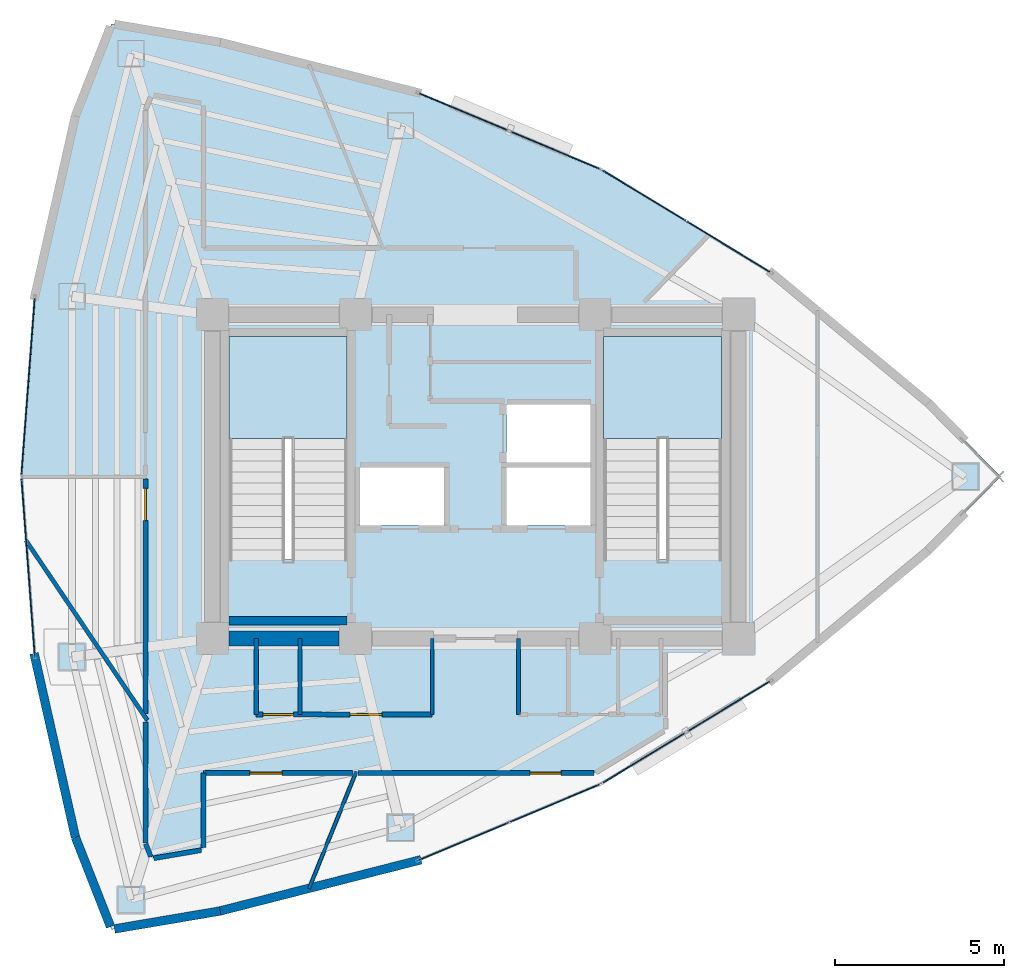
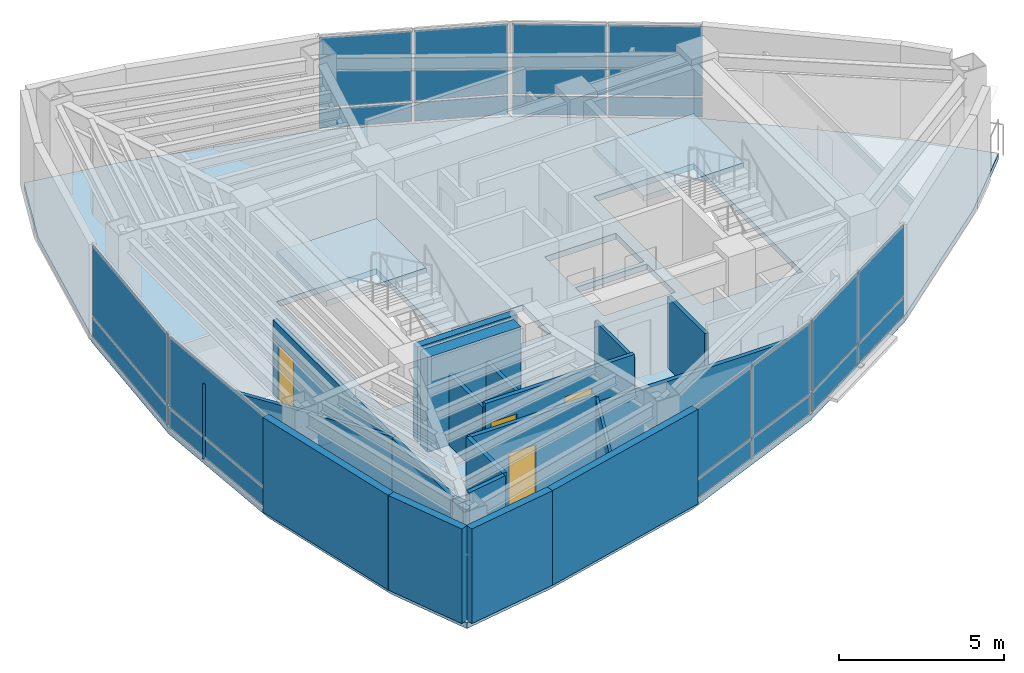
# One storey, part 11 of 15: 20 plates, 20 walls, 5 doors, 3 slabs, 5 openings, 8 elements without a shape of their own.
"""IFC4 building model written with IfcOpenShell, lengths in metres."""

from ifc_helpers import new_model, si_unit, direction, frame, frame_2d, origin, origin_2d, place, context, subcontext, project, spatial, polyline, rectangle, outline, extrude, material, layer, layer_set, type_object, element, fill, aggregate, save


model = new_model("IFC4")

# Units and contexts
model_context = context("Model", 3, precision=1e-05, world=origin(), true_north=direction((0.0, 1.0)))
body_context = subcontext(model_context, "Body", "Model", "MODEL_VIEW")
ifc_project = project(units=[si_unit("LENGTHUNIT", "METRE"), si_unit("AREAUNIT", "SQUARE_METRE"), si_unit("VOLUMEUNIT", "CUBIC_METRE"), si_unit("PLANEANGLEUNIT", "RADIAN"), si_unit("MASSUNIT", "GRAM", prefix="KILO")], contexts=[model_context])

# Site, building, storey
site_placement = place(None, origin())
site = spatial("IfcSite", under=ifc_project, at=site_placement, CompositionType="ELEMENT")
building_placement = place(site_placement, origin())
building = spatial("IfcBuilding", under=site, at=building_placement, Name="Menara Vayukalpa", CompositionType="ELEMENT")
storey_placement = place(building_placement, frame((0.0, 0.0, 265.739990234375)))
storey = spatial("IfcBuildingStorey", under=building, at=storey_placement, Name="L67", CompositionType="ELEMENT", Elevation=265.739990234375)

# Curtain wall, plates
ifc_material_1 = material(Name="Anodised Terracotta Aluminium Alloy 6063-T6", Category="masonry")
ifc_layer_1 = layer(ifc_material_1, 0.1650390625)
ifc_layer_set_1 = layer_set([ifc_layer_1], Name="Anodised Terracotta Aluminium Alloy 6063-T6")
curtain_wall_type = type_object("IfcCurtainWallType", Name="CW-CW6", PredefinedType="USERDEFINED", material=ifc_layer_set_1)
curtain_wall_1_placement = place(storey_placement, origin())
curtain_wall_1 = element("IfcCurtainWall", 1, at=curtain_wall_1_placement, inside=storey, type_object=curtain_wall_type, Name="L67 Observation and Executive Curtain Wall CW6 04", ObjectType="UNITISED", PredefinedType="USERDEFINED")
ifc_material_2 = material(Name="Low-E Double Glazing", Category="glass")
ifc_layer_2 = layer(ifc_material_2, 0.033935546875)
ifc_layer_set_2 = layer_set([ifc_layer_2], Name="Low-E Double Glazing")
plate_type = type_object("IfcPlateType", Name="CWP-CW6", PredefinedType="CURTAIN_PANEL", material=ifc_layer_set_2)
plate_1_placement = place(storey_placement, frame((33.102783203125, 28.814208984375, 0.074951171875), z_axis=(0.0, 0.0, 1.0), x_axis=(-0.854667609532, 0.519175574558, 0.0)))
plate_1 = element("IfcPlate", 2, at=plate_1_placement, type_object=plate_type, Name="CW6 panel 1.1", PredefinedType="CURTAIN_PANEL", context=body_context, shape_type="SweptSolid", body=[
    extrude(rectangle(XDim=2.8486328125, YDim=0.033935546875, at=origin_2d()), origin(), (0.0, 0.0, 1.0), 0.6875),
])
plate_2_placement = place(storey_placement, frame((33.102783203125, 28.814208984375, 0.837646484375), z_axis=(0.0, 0.0, 1.0), x_axis=(-0.854667609532, 0.519175574558, 0.0)))
plate_2 = element("IfcPlate", 3, at=plate_2_placement, type_object=plate_type, Name="CW6 panel 1.2", PredefinedType="CURTAIN_PANEL", context=body_context, shape_type="SweptSolid", body=[
    extrude(rectangle(XDim=2.8486328125, YDim=0.033935546875, at=origin_2d()), origin(), (0.0, 0.0, 1.0), 2.58740234375),
])
plate_3_placement = place(storey_placement, frame((30.608154296875, 30.329345703125, 0.074951171875), z_axis=(0.0, 0.0, 1.0), x_axis=(-0.854667609532, 0.519175574558, 0.0)))
plate_3 = element("IfcPlate", 4, at=plate_3_placement, type_object=plate_type, Name="CW6 panel 2.1", PredefinedType="CURTAIN_PANEL", context=body_context, shape_type="SweptSolid", body=[
    extrude(rectangle(XDim=2.8486328125, YDim=0.033935546875, at=origin_2d()), origin(), (0.0, 0.0, 1.0), 0.6875),
])
plate_4_placement = place(storey_placement, frame((30.608154296875, 30.329345703125, 0.837646484375), z_axis=(0.0, 0.0, 1.0), x_axis=(-0.854667609532, 0.519175574558, 0.0)))
plate_4 = element("IfcPlate", 5, at=plate_4_placement, type_object=plate_type, Name="CW6 panel 2.2", PredefinedType="CURTAIN_PANEL", context=body_context, shape_type="SweptSolid", body=[
    extrude(rectangle(XDim=2.8486328125, YDim=0.033935546875, at=origin_2d()), origin(), (0.0, 0.0, 1.0), 2.58740234375),
])
aggregate(curtain_wall_1, [plate_1, plate_2, plate_3, plate_4])

curtain_wall_2_placement = place(storey_placement, origin())
curtain_wall_2 = element("IfcCurtainWall", 6, at=curtain_wall_2_placement, inside=storey, type_object=curtain_wall_type, Name="L67 Observation and Executive Curtain Wall CW6 05", ObjectType="UNITISED", PredefinedType="USERDEFINED")
plate_5_placement = place(storey_placement, frame((27.952392578125, 31.681884765625, 0.074951171875), z_axis=(0.0, 0.0, 1.0), x_axis=(-0.922540653927, 0.385899911703, 0.0)))
plate_5 = element("IfcPlate", 7, at=plate_5_placement, type_object=plate_type, Name="CW6 panel 1.1", PredefinedType="CURTAIN_PANEL", context=body_context, shape_type="SweptSolid", body=[
    extrude(rectangle(XDim=2.8486328125, YDim=0.033935546875, at=origin_2d()), origin(), (0.0, 0.0, 1.0), 0.6875),
])
plate_6_placement = place(storey_placement, frame((27.952392578125, 31.681884765625, 0.837646484375), z_axis=(0.0, 0.0, 1.0), x_axis=(-0.922540653927, 0.385899911703, 0.0)))
plate_6 = element("IfcPlate", 8, at=plate_6_placement, type_object=plate_type, Name="CW6 panel 1.2", PredefinedType="CURTAIN_PANEL", context=body_context, shape_type="SweptSolid", body=[
    extrude(rectangle(XDim=2.8486328125, YDim=0.033935546875, at=origin_2d()), origin(), (0.0, 0.0, 1.0), 2.58740234375),
])
plate_7_placement = place(storey_placement, frame((25.259765625, 32.808349609375, 0.074951171875), z_axis=(0.0, 0.0, 1.0), x_axis=(-0.922540653927, 0.385899911703, 0.0)))
plate_7 = element("IfcPlate", 9, at=plate_7_placement, type_object=plate_type, Name="CW6 panel 2.1", PredefinedType="CURTAIN_PANEL", context=body_context, shape_type="SweptSolid", body=[
    extrude(rectangle(XDim=2.8486328125, YDim=0.033935546875, at=origin_2d()), origin(), (0.0, 0.0, 1.0), 0.6875),
])
plate_8_placement = place(storey_placement, frame((25.259765625, 32.808349609375, 0.837646484375), z_axis=(0.0, 0.0, 1.0), x_axis=(-0.922540653927, 0.385899911703, 0.0)))
plate_8 = element("IfcPlate", 10, at=plate_8_placement, type_object=plate_type, Name="CW6 panel 2.2", PredefinedType="CURTAIN_PANEL", context=body_context, shape_type="SweptSolid", body=[
    extrude(rectangle(XDim=2.8486328125, YDim=0.033935546875, at=origin_2d()), origin(), (0.0, 0.0, 1.0), 2.58740234375),
])
aggregate(curtain_wall_2, [plate_5, plate_6, plate_7, plate_8])

curtain_wall_3_placement = place(storey_placement, origin())
curtain_wall_3 = element("IfcCurtainWall", 11, at=curtain_wall_3_placement, inside=storey, type_object=curtain_wall_type, Name="L67 Observation and Executive Curtain Wall CW6 10", ObjectType="UNITISED", PredefinedType="USERDEFINED")
plate_9_placement = place(storey_placement, frame((12.33837890625, 24.67333984375, 0.074951171875), z_axis=(0.0, 0.0, 1.0), x_axis=(-0.074789484574, -0.997199344663, 0.0)))
plate_9 = element("IfcPlate", 12, at=plate_9_placement, type_object=plate_type, Name="CW6 panel 1.1", PredefinedType="CURTAIN_PANEL", context=body_context, shape_type="SweptSolid", body=[
    extrude(rectangle(XDim=5.2216796875, YDim=0.033935546875, at=origin_2d()), origin(), (0.0, 0.0, 1.0), 0.6875),
])
plate_10_placement = place(storey_placement, frame((12.33837890625, 24.67333984375, 0.837646484375), z_axis=(0.0, 0.0, 1.0), x_axis=(-0.074789484574, -0.997199344663, 0.0)))
plate_10 = element("IfcPlate", 13, at=plate_10_placement, type_object=plate_type, Name="CW6 panel 1.2", PredefinedType="CURTAIN_PANEL", context=body_context, shape_type="SweptSolid", body=[
    extrude(rectangle(XDim=5.2216796875, YDim=0.033935546875, at=origin_2d()), origin(), (0.0, 0.0, 1.0), 2.58740234375),
])
aggregate(curtain_wall_3, [plate_9, plate_10])

curtain_wall_4_placement = place(storey_placement, origin())
curtain_wall_4 = element("IfcCurtainWall", 14, at=curtain_wall_4_placement, inside=storey, type_object=curtain_wall_type, Name="L67 Observation and Executive Curtain Wall CW6 11", ObjectType="UNITISED", PredefinedType="USERDEFINED")
plate_11_placement = place(storey_placement, frame((12.33837890625, 19.32666015625, 0.074951171875), z_axis=(0.0, 0.0, 1.0), x_axis=(0.074789484574, -0.997199344663, 0.0)))
plate_11 = element("IfcPlate", 15, at=plate_11_placement, type_object=plate_type, Name="CW6 panel 1.1", PredefinedType="CURTAIN_PANEL", context=body_context, shape_type="SweptSolid", body=[
    extrude(rectangle(XDim=5.2216796875, YDim=0.033935546875, at=origin_2d()), origin(), (0.0, 0.0, 1.0), 0.6875),
])
plate_12_placement = place(storey_placement, frame((12.33837890625, 19.32666015625, 0.837646484375), z_axis=(0.0, 0.0, 1.0), x_axis=(0.074789484574, -0.997199344663, 0.0)))
plate_12 = element("IfcPlate", 16, at=plate_12_placement, type_object=plate_type, Name="CW6 panel 1.2", PredefinedType="CURTAIN_PANEL", context=body_context, shape_type="SweptSolid", body=[
    extrude(rectangle(XDim=5.2216796875, YDim=0.033935546875, at=origin_2d()), origin(), (0.0, 0.0, 1.0), 2.58740234375),
])
aggregate(curtain_wall_4, [plate_11, plate_12])

curtain_wall_5_placement = place(storey_placement, origin())
curtain_wall_5 = element("IfcCurtainWall", 17, at=curtain_wall_5_placement, inside=storey, type_object=curtain_wall_type, Name="L67 Observation and Executive Curtain Wall CW6 16", ObjectType="UNITISED", PredefinedType="USERDEFINED")
plate_13_placement = place(storey_placement, frame((25.259765625, 11.191650390625, 0.074951171875), z_axis=(0.0, 0.0, 1.0), x_axis=(0.922540653927, 0.385899911703, 0.0)))
plate_13 = element("IfcPlate", 18, at=plate_13_placement, type_object=plate_type, Name="CW6 panel 1.1", PredefinedType="CURTAIN_PANEL", context=body_context, shape_type="SweptSolid", body=[
    extrude(rectangle(XDim=2.8486328125, YDim=0.033935546875, at=origin_2d()), origin(), (0.0, 0.0, 1.0), 0.6875),
])
plate_14_placement = place(storey_placement, frame((25.259765625, 11.191650390625, 0.837646484375), z_axis=(0.0, 0.0, 1.0), x_axis=(0.922540653927, 0.385899911703, 0.0)))
plate_14 = element("IfcPlate", 19, at=plate_14_placement, type_object=plate_type, Name="CW6 panel 1.2", PredefinedType="CURTAIN_PANEL", context=body_context, shape_type="SweptSolid", body=[
    extrude(rectangle(XDim=2.8486328125, YDim=0.033935546875, at=origin_2d()), origin(), (0.0, 0.0, 1.0), 2.58740234375),
])
plate_15_placement = place(storey_placement, frame((27.952392578125, 12.318115234375, 0.074951171875), z_axis=(0.0, 0.0, 1.0), x_axis=(0.922540653927, 0.385899911703, 0.0)))
plate_15 = element("IfcPlate", 20, at=plate_15_placement, type_object=plate_type, Name="CW6 panel 2.1", PredefinedType="CURTAIN_PANEL", context=body_context, shape_type="SweptSolid", body=[
    extrude(rectangle(XDim=2.8486328125, YDim=0.033935546875, at=origin_2d()), origin(), (0.0, 0.0, 1.0), 0.6875),
])
plate_16_placement = place(storey_placement, frame((27.952392578125, 12.318115234375, 0.837646484375), z_axis=(0.0, 0.0, 1.0), x_axis=(0.922540653927, 0.385899911703, 0.0)))
plate_16 = element("IfcPlate", 21, at=plate_16_placement, type_object=plate_type, Name="CW6 panel 2.2", PredefinedType="CURTAIN_PANEL", context=body_context, shape_type="SweptSolid", body=[
    extrude(rectangle(XDim=2.8486328125, YDim=0.033935546875, at=origin_2d()), origin(), (0.0, 0.0, 1.0), 2.58740234375),
])
aggregate(curtain_wall_5, [plate_13, plate_14, plate_15, plate_16])

curtain_wall_6_placement = place(storey_placement, origin())
curtain_wall_6 = element("IfcCurtainWall", 22, at=curtain_wall_6_placement, inside=storey, type_object=curtain_wall_type, Name="L67 Observation and Executive Curtain Wall CW6 17", ObjectType="UNITISED", PredefinedType="USERDEFINED")
plate_17_placement = place(storey_placement, frame((30.608154296875, 13.670654296875, 0.074951171875), z_axis=(0.0, 0.0, 1.0), x_axis=(0.854667609532, 0.519175574558, 0.0)))
plate_17 = element("IfcPlate", 23, at=plate_17_placement, type_object=plate_type, Name="CW6 panel 1.1", PredefinedType="CURTAIN_PANEL", context=body_context, shape_type="SweptSolid", body=[
    extrude(rectangle(XDim=2.8486328125, YDim=0.033935546875, at=origin_2d()), origin(), (0.0, 0.0, 1.0), 0.6875),
])
plate_18_placement = place(storey_placement, frame((30.608154296875, 13.670654296875, 0.837646484375), z_axis=(0.0, 0.0, 1.0), x_axis=(0.854667609532, 0.519175574558, 0.0)))
plate_18 = element("IfcPlate", 24, at=plate_18_placement, type_object=plate_type, Name="CW6 panel 1.2", PredefinedType="CURTAIN_PANEL", context=body_context, shape_type="SweptSolid", body=[
    extrude(rectangle(XDim=2.8486328125, YDim=0.033935546875, at=origin_2d()), origin(), (0.0, 0.0, 1.0), 2.58740234375),
])
plate_19_placement = place(storey_placement, frame((33.102783203125, 15.185791015625, 0.074951171875), z_axis=(0.0, 0.0, 1.0), x_axis=(0.854667609532, 0.519175574558, 0.0)))
plate_19 = element("IfcPlate", 25, at=plate_19_placement, type_object=plate_type, Name="CW6 panel 2.1", PredefinedType="CURTAIN_PANEL", context=body_context, shape_type="SweptSolid", body=[
    extrude(rectangle(XDim=2.8486328125, YDim=0.033935546875, at=origin_2d()), origin(), (0.0, 0.0, 1.0), 0.6875),
])
plate_20_placement = place(storey_placement, frame((33.102783203125, 15.185791015625, 0.837646484375), z_axis=(0.0, 0.0, 1.0), x_axis=(0.854667609532, 0.519175574558, 0.0)))
plate_20 = element("IfcPlate", 26, at=plate_20_placement, type_object=plate_type, Name="CW6 panel 2.2", PredefinedType="CURTAIN_PANEL", context=body_context, shape_type="SweptSolid", body=[
    extrude(rectangle(XDim=2.8486328125, YDim=0.033935546875, at=origin_2d()), origin(), (0.0, 0.0, 1.0), 2.58740234375),
])
aggregate(curtain_wall_6, [plate_17, plate_18, plate_19, plate_20])

# Slab
ifc_material_3 = material(Name="Concrete C40/50", Category="concrete")
ifc_layer_3 = layer(ifc_material_3, 0.219970703125)
ifc_layer_set_3 = layer_set([ifc_layer_3], Name="Concrete C40/50")
slab_type_1 = type_object("IfcSlabType", Name="SLB-FL220", PredefinedType="FLOOR", material=ifc_layer_set_3)
slab_1_placement = place(storey_placement, frame((0.0, 0.0, -0.219970703125)))
element("IfcSlab", 27, at=slab_1_placement, inside=storey, type_object=slab_type_1, Name="L67 Structural Floor Slab", PredefinedType="FLOOR", context=body_context, shape_type="SweptSolid", body=[
    extrude(outline(polyline([(39.02783203125, 19.816162109375), (41.171875, 22.0), (39.02783203125, 24.183837890625), (34.3798828125, 28.038330078125), (29.3310546875, 31.105224609375), (23.881103515625, 33.385009765625), (18.0302734375, 34.877197265625), (14.814208984375, 35.423095703125), (13.741943359375, 32.693359375), (12.5390625, 27.3466796875), (12.137939453125, 22.0), (12.5390625, 16.6533203125), (13.741943359375, 11.306640625), (14.814208984375, 8.576904296875), (18.0302734375, 9.122802734375), (23.881103515625, 10.614990234375), (29.3310546875, 12.894775390625), (34.3798828125, 15.961669921875), (39.02783203125, 19.816162109375)]), holes=[polyline([(21.800048828125, 19.550048828125), (21.800048828125, 26.14990234375), (18.300048828125, 26.14990234375), (18.300048828125, 19.550048828125), (21.800048828125, 19.550048828125)]), polyline([(32.89990234375, 19.550048828125), (32.89990234375, 26.14990234375), (29.39990234375, 26.14990234375), (29.39990234375, 19.550048828125), (32.89990234375, 19.550048828125)]), polyline([(22.179931640625, 20.550048828125), (24.679931640625, 20.550048828125), (24.679931640625, 22.27001953125), (22.179931640625, 22.27001953125), (22.179931640625, 20.550048828125)]), polyline([(26.52001953125, 20.550048828125), (29.02001953125, 20.550048828125), (29.02001953125, 22.27001953125), (26.52001953125, 22.27001953125), (26.52001953125, 20.550048828125)]), polyline([(26.52001953125, 22.419921875), (29.02001953125, 22.419921875), (29.02001953125, 24.139892578125), (26.52001953125, 24.139892578125), (26.52001953125, 22.419921875)])]), origin(), (0.0, 0.0, 1.0), 0.219970703125),
])

# Stair, slab
ifc_material_4 = material(Name="Precast Concrete C40/50", Category="concrete")
stair_type = type_object("IfcStairType", Name="STR-T04", PredefinedType="DOUBLE_RETURN_STAIR", material=ifc_material_4)
stair_1_placement = place(storey_placement, origin())
stair_1 = element("IfcStair", 28, at=stair_1_placement, inside=storey, type_object=stair_type, Name="L67 Core Exit Stair ST-1", PredefinedType="DOUBLE_RETURN_STAIR")
ifc_material_5 = material(Name="Precast Concrete C40/50", Category="concrete")
ifc_layer_4 = layer(ifc_material_5, 0.199951171875)
ifc_layer_set_4 = layer_set([ifc_layer_4], Name="Precast Concrete C40/50")
slab_type_2 = type_object("IfcSlabType", Name="SLB-LND200", PredefinedType="LANDING", material=ifc_layer_set_4)
slab_2_placement = place(storey_placement, frame((0.0, 0.0, 1.659912109375)))
slab_2 = element("IfcSlab", 29, at=slab_2_placement, type_object=slab_type_2, Name="ST-1 landing 1", PredefinedType="LANDING", context=body_context, shape_type="SweptSolid", body=[
    extrude(outline(polyline([(21.800048828125, 23.1298828125), (21.800048828125, 26.14990234375), (18.300048828125, 26.14990234375), (18.300048828125, 23.1298828125), (21.800048828125, 23.1298828125)])), origin(), (0.0, 0.0, 1.0), 0.2001953125),
])
aggregate(stair_1, [slab_2])

stair_2_placement = place(storey_placement, origin())
stair_2 = element("IfcStair", 30, at=stair_2_placement, inside=storey, type_object=stair_type, Name="L67 Core Exit Stair ST-2", PredefinedType="DOUBLE_RETURN_STAIR")
slab_3_placement = place(storey_placement, frame((0.0, 0.0, 1.659912109375)))
slab_3 = element("IfcSlab", 31, at=slab_3_placement, type_object=slab_type_2, Name="ST-2 landing 1", PredefinedType="LANDING", context=body_context, shape_type="SweptSolid", body=[
    extrude(outline(polyline([(32.89990234375, 23.1298828125), (32.89990234375, 26.14990234375), (29.39990234375, 26.14990234375), (29.39990234375, 23.1298828125), (32.89990234375, 23.1298828125)])), origin(), (0.0, 0.0, 1.0), 0.2001953125),
])
aggregate(stair_2, [slab_3])

# Walls
ifc_material_6 = material(Name="Concrete C50/60", Category="concrete")
ifc_layer_5 = layer(ifc_material_6, 0.449951171875)
ifc_layer_set_5 = layer_set([ifc_layer_5], Name="Concrete C50/60")
wall_type_1 = type_object("IfcWallType", Name="WAL-CW450", PredefinedType="SHEAR", material=ifc_layer_set_5)
wall_1_placement = place(storey_placement, frame((18.294921875, 17.199951171875, 0.0), z_axis=(0.0, 0.0, 1.0), x_axis=(1.0, 0.0, 0.0)))
element("IfcWall", 32, at=wall_1_placement, inside=storey, type_object=wall_type_1, Name="L67 Buttressed Core Shear Wall CWS1", PredefinedType="SHEAR", context=body_context, shape_type="SweptSolid", body=[
    extrude(rectangle(XDim=3.260009765625, YDim=0.449951171875, at=frame_2d((1.6298828125, 0.0))), origin(), (0.0, 0.0, 1.0), 3.5),
])
ifc_material_7 = material(Name="Insulated Precast Concrete C40/50", Category="concrete")
ifc_layer_6 = layer(ifc_material_7, 0.260009765625)
ifc_layer_set_6 = layer_set([ifc_layer_6], Name="Insulated Precast Concrete C40/50")
wall_type_2 = type_object("IfcWallType", Name="WAL-EXT260", PredefinedType="PARTITIONING", material=ifc_layer_set_6)
wall_2_placement = place(storey_placement, frame((13.741943359375, 11.306640625, 0.0), z_axis=(0.0, 0.0, 1.0), x_axis=(-0.219500763731, 0.97561232809, 0.0)))
element("IfcWall", 33, at=wall_2_placement, inside=storey, type_object=wall_type_2, Name="L67 Perimeter Terracotta Pier Wall 12", PredefinedType="PARTITIONING", context=body_context, shape_type="SweptSolid", body=[
    extrude(rectangle(XDim=5.590087890625, YDim=0.260009765625, at=frame_2d((2.794921875, 0.0))), origin(), (0.0, 0.0, 1.0), 3.5),
])
wall_3_placement = place(storey_placement, frame((14.7822265625, 8.658203125, 0.0), z_axis=(0.0, 0.0, 1.0), x_axis=(-0.36559927932, 0.930772349697, 0.0)))
element("IfcWall", 34, at=wall_3_placement, inside=storey, type_object=wall_type_2, Name="L67 Perimeter Terracotta Pier Wall 13", PredefinedType="PARTITIONING", context=body_context, shape_type="SweptSolid", body=[
    extrude(rectangle(XDim=2.845458984375, YDim=0.260009765625, at=frame_2d((1.4228515625, 0.0))), origin(), (0.0, 0.0, 1.0), 3.5),
])
wall_4_placement = place(storey_placement, frame((18.0361328125, 9.123779296875, 0.0), z_axis=(0.0, 0.0, 1.0), x_axis=(-0.985889432766, -0.167397808709, 0.0)))
element("IfcWall", 35, at=wall_4_placement, inside=storey, type_object=wall_type_2, Name="L67 Perimeter Terracotta Pier Wall 14", PredefinedType="PARTITIONING", context=body_context, shape_type="SweptSolid", body=[
    extrude(rectangle(XDim=3.180908203125, YDim=0.260009765625, at=frame_2d((1.59033203125, 0.0))), origin(), (0.0, 0.0, 1.0), 3.5),
])
wall_5_placement = place(storey_placement, frame((23.98779296875, 10.64208984375, 0.0), z_axis=(0.0, 0.0, 1.0), x_axis=(-0.968988278672, -0.247106689096, 0.0)))
element("IfcWall", 36, at=wall_5_placement, inside=storey, type_object=wall_type_2, Name="L67 Perimeter Terracotta Pier Wall 15", PredefinedType="PARTITIONING", context=body_context, shape_type="SweptSolid", body=[
    extrude(rectangle(XDim=6.154296875, YDim=0.260009765625, at=frame_2d((3.0771484375, 0.0))), origin(), (0.0, 0.0, 1.0), 3.5),
])
ifc_material_8 = material(Name="Glazed Demountable Office Partition", Category="glass")
ifc_layer_7 = layer(ifc_material_8, 0.094970703125)
ifc_layer_set_7 = layer_set([ifc_layer_7], Name="Glazed Demountable Office Partition")
wall_type_3 = type_object("IfcWallType", Name="WAL-PT100", PredefinedType="PARTITIONING", material=ifc_layer_set_7)
wall_6_placement = place(storey_placement, frame((22.06884765625, 13.260009765625, 0.0), z_axis=(0.0, 0.0, 1.0), x_axis=(-0.374599797966, -0.927186600078, 0.0)))
element("IfcWall", 37, at=wall_6_placement, inside=storey, type_object=wall_type_3, Name="L67 Interior Partition IW-L67-RDIV04", PredefinedType="PARTITIONING", context=body_context, shape_type="SweptSolid", body=[
    extrude(rectangle(XDim=3.748779296875, YDim=0.094970703125, at=frame_2d((1.87451171875, 0.0))), origin(), (0.0, 0.0, 1.0), 2.97998046875),
])
ifc_material_9 = material(Name="Acoustic Mineral Stud Partition", Category="masonry")
ifc_layer_8 = layer(ifc_material_9, 0.110107421875)
ifc_layer_set_8 = layer_set([ifc_layer_8], Name="Acoustic Mineral Stud Partition")
wall_type_4 = type_object("IfcWallType", Name="WAL-PT110", PredefinedType="PARTITIONING", material=ifc_layer_set_8)
wall_7_placement = place(storey_placement, frame((24.320068359375, 14.949951171875, 0.0), z_axis=(0.0, 0.0, 1.0), x_axis=(0.0, 1.0, 0.0)))
element("IfcWall", 38, at=wall_7_placement, inside=storey, type_object=wall_type_4, Name="L67 Interior Partition IW-L67-SVCD-03", PredefinedType="PARTITIONING", context=body_context, shape_type="SweptSolid", body=[
    extrude(rectangle(XDim=2.25, YDim=0.110107421875, at=frame_2d((1.125, 0.0))), origin(), (0.0, 0.0, 1.0), 2.630126953125),
])
ifc_material_10 = material(Name="Gypsum Drywall Steel Stud Assembly", Category="steel")
ifc_layer_9 = layer(ifc_material_10, 0.125)
ifc_layer_set_9 = layer_set([ifc_layer_9], Name="Gypsum Drywall Steel Stud Assembly")
wall_type_5 = type_object("IfcWallType", Name="WAL-PT125", PredefinedType="PARTITIONING", material=ifc_layer_set_9)
for number, where, z_axis, x_axis, name in (
    (39, (19.10009765625, 14.949951171875, 0.0), (0.0, 0.0, 1.0), (0.0, 1.0, 0.0), "L67 Interior Partition IW-L67-SVCD-01"),
    (40, (20.39990234375, 14.949951171875, 0.0), (0.0, 0.0, 1.0), (0.0, 1.0, 0.0), "L67 Interior Partition IW-L67-SVCD-02"),
    (41, (26.8798828125, 14.949951171875, 0.0), (0.0, 0.0, 1.0), (0.0, 1.0, 0.0), "L67 Interior Partition IW-L67-SVCD-04"),
):
    element("IfcWall", number, at=place(storey_placement, frame(where, z_axis=z_axis, x_axis=x_axis)), inside=storey, type_object=wall_type_5, Name=name, PredefinedType="PARTITIONING", context=body_context, shape_type="SweptSolid", body=[
        extrude(rectangle(XDim=2.25, YDim=0.125, at=frame_2d((1.125, 0.0))), origin(), (0.0, 0.0, 1.0), 2.630126953125),
    ])
wall_8_placement = place(storey_placement, frame((12.26904296875, 20.118408203125, 0.0), z_axis=(0.0, 0.0, 1.0), x_axis=(0.559206512114, -0.829028393247, 0.0)))
element("IfcWall", 42, at=wall_8_placement, inside=storey, type_object=wall_type_5, Name="L67 Interior Partition IW-L67-RDIV05", PredefinedType="PARTITIONING", context=body_context, shape_type="SweptSolid", body=[
    extrude(rectangle(XDim=6.439697265625, YDim=0.125, at=frame_2d((3.2197265625, 0.0))), origin(), (0.0, 0.0, 1.0), 2.780029296875),
])

# Wall, openings, doors
ifc_material_11 = material(Name="Gypsum Drywall Acoustic Stud Assembly", Category="masonry")
ifc_layer_10 = layer(ifc_material_11, 0.14501953125)
ifc_layer_set_10 = layer_set([ifc_layer_10], Name="Gypsum Drywall Acoustic Stud Assembly")
wall_type_6 = type_object("IfcWallType", Name="WAL-PT150", PredefinedType="PARTITIONING", material=ifc_layer_set_10)
wall_9_placement = place(storey_placement, frame((19.10009765625, 14.949951171875, 0.0), z_axis=(0.0, 0.0, 1.0), x_axis=(1.0, 0.0, 0.0)))
wall_9 = element("IfcWall", 43, at=wall_9_placement, inside=storey, type_object=wall_type_6, Name="L67 Interior Partition IW-L67-SVCS-W", PredefinedType="PARTITIONING", context=body_context, shape_type="SweptSolid", body=[
    extrude(rectangle(XDim=5.219970703125, YDim=0.14501953125, at=frame_2d((2.60986328125, 0.0))), origin(), (0.0, 0.0, 1.0), 2.780029296875),
])
opening_1_placement = place(wall_9_placement, frame((0.199951171875, 0.0, 0.0)))
opening_1 = element("IfcOpeningElement", 44, at=opening_1_placement, cuts=wall_9, Name="Opening ID7", PredefinedType="OPENING", context=body_context, shape_type="SweptSolid", body=[
    extrude(rectangle(XDim=0.89990234375, YDim=2.02001953125, at=frame_2d((0.449951171875, 1.010009765625))), frame((0.0, 0.08251953125, 0.0), z_axis=(0.0, -1.0, 0.0), x_axis=(1.0, 0.0, 0.0)), (0.0, 0.0, 1.0), 0.1650390625),
])
opening_2_placement = place(wall_9_placement, frame((2.784912109375, 0.0, 0.0)))
opening_2 = element("IfcOpeningElement", 45, at=opening_2_placement, cuts=wall_9, Name="Opening ID5", PredefinedType="OPENING", context=body_context, shape_type="SweptSolid", body=[
    extrude(rectangle(XDim=0.949951171875, YDim=2.06005859375, at=frame_2d((0.47509765625, 1.030029296875))), frame((0.0, 0.08251953125, 0.0), z_axis=(0.0, -1.0, 0.0), x_axis=(1.0, 0.0, 0.0)), (0.0, 0.0, 1.0), 0.1650390625),
])
ifc_material_12 = material(Name="Acoustic Hardwood Veneer Timber Door", Category="wood")
door_type_1 = type_object("IfcDoorType", Name="DR-INT95", OperationType="NOTDEFINED", PredefinedType="DOOR", material=ifc_material_12)
door_1_placement = place(opening_2_placement, origin())
door_1 = element("IfcDoor", 46, at=door_1_placement, inside=storey, type_object=door_type_1, Name="L67 Interior Door DR-L67-AWC", OperationType="SINGLE_SWING_RIGHT", OverallHeight=2.06005859375, OverallWidth=0.949951171875, PredefinedType="DOOR", context=body_context, shape_type="SweptSolid", body=[
    extrude(rectangle(XDim=0.949951171875, YDim=2.06005859375, at=frame_2d((0.47509765625, 1.030029296875))), frame((0.0, 0.02490234375, 0.0), z_axis=(0.0, -1.0, 0.0), x_axis=(1.0, 0.0, 0.0)), (0.0, 0.0, 1.0), 0.050048828125),
])
fill(opening_2, door_1)
ifc_material_13 = material(Name="Powder-Coated Steel Riser Access Door", Category="steel")
door_type_2 = type_object("IfcDoorType", Name="DR-RISER", OperationType="NOTDEFINED", PredefinedType="DOOR", material=ifc_material_13)
door_2_placement = place(opening_1_placement, origin())
door_2 = element("IfcDoor", 47, at=door_2_placement, inside=storey, type_object=door_type_2, Name="L67 Interior Door DR-L67-ELR", OperationType="SINGLE_SWING_LEFT", OverallHeight=2.02001953125, OverallWidth=0.89990234375, PredefinedType="DOOR", context=body_context, shape_type="SweptSolid", body=[
    extrude(rectangle(XDim=0.89990234375, YDim=2.02001953125, at=frame_2d((0.449951171875, 1.010009765625))), frame((0.0, 0.02490234375, 0.0), z_axis=(0.0, -1.0, 0.0), x_axis=(1.0, 0.0, 0.0)), (0.0, 0.0, 1.0), 0.050048828125),
])
fill(opening_1, door_2)

# Wall, opening, door
wall_10_placement = place(storey_placement, frame((15.820068359375, 21.929931640625, 0.0), z_axis=(0.0, 0.0, 1.0), x_axis=(0.0, -1.0, 0.0)))
wall_10 = element("IfcWall", 48, at=wall_10_placement, inside=storey, type_object=wall_type_6, Name="L67 Interior Partition IW-L67-CRM01-1", PredefinedType="PARTITIONING", context=body_context, shape_type="SweptSolid", body=[
    extrude(rectangle(XDim=6.95068359375, YDim=0.14501953125, at=frame_2d((3.475341796875, 0.0))), origin(), (0.0, 0.0, 1.0), 2.780029296875),
])
opening_3_placement = place(wall_10_placement, frame((0.280029296875, 0.0, 0.0)))
opening_3 = element("IfcOpeningElement", 49, at=opening_3_placement, cuts=wall_10, Name="Opening ID5", PredefinedType="OPENING", context=body_context, shape_type="SweptSolid", body=[
    extrude(rectangle(XDim=0.949951171875, YDim=2.06005859375, at=frame_2d((0.47509765625, 1.030029296875))), frame((0.0, 0.08251953125, 0.0), z_axis=(0.0, -1.0, 0.0), x_axis=(1.0, 0.0, 0.0)), (0.0, 0.0, 1.0), 0.1650390625),
])
door_3_placement = place(opening_3_placement, origin())
door_3 = element("IfcDoor", 50, at=door_3_placement, inside=storey, type_object=door_type_1, Name="L67 Interior Door DR-L67-RM01", OperationType="SINGLE_SWING_RIGHT", OverallHeight=2.06005859375, OverallWidth=0.949951171875, PredefinedType="DOOR", context=body_context, shape_type="SweptSolid", body=[
    extrude(rectangle(XDim=0.949951171875, YDim=2.06005859375, at=frame_2d((0.47509765625, 1.030029296875))), frame((0.0, 0.02490234375, 0.0), z_axis=(0.0, -1.0, 0.0), x_axis=(1.0, 0.0, 0.0)), (0.0, 0.0, 1.0), 0.050048828125),
])
fill(opening_3, door_3)

# Walls
wall_11_placement = place(storey_placement, frame((15.820068359375, 14.73095703125, 0.0), z_axis=(0.0, 0.0, 1.0), x_axis=(0.0, -1.0, 0.0)))
element("IfcWall", 51, at=wall_11_placement, inside=storey, type_object=wall_type_6, Name="L67 Interior Partition IW-L67-CRM03-1", PredefinedType="PARTITIONING", context=body_context, shape_type="SweptSolid", body=[
    extrude(rectangle(XDim=3.584716796875, YDim=0.14501953125, at=frame_2d((1.79248046875, 0.0))), origin(), (0.0, 0.0, 1.0), 2.780029296875),
])
wall_12_placement = place(storey_placement, frame((15.825439453125, 11.116943359375, 0.0), z_axis=(0.0, 0.0, 1.0), x_axis=(0.365633948196, -0.930758731319, 0.0)))
element("IfcWall", 52, at=wall_12_placement, inside=storey, type_object=wall_type_6, Name="L67 Interior Partition IW-L67-CRM03-2", PredefinedType="PARTITIONING", context=body_context, shape_type="SweptSolid", body=[
    extrude(rectangle(XDim=0.409912109375, YDim=0.14501953125, at=frame_2d((0.205078125, 0.0))), origin(), (0.0, 0.0, 1.0), 2.780029296875),
])
wall_13_placement = place(storey_placement, frame((16.063232421875, 10.685546875, 0.0), z_axis=(0.0, 0.0, 1.0), x_axis=(0.985881780308, 0.167442871621, 0.0)))
element("IfcWall", 53, at=wall_13_placement, inside=storey, type_object=wall_type_6, Name="L67 Interior Partition IW-L67-CRM03-3", PredefinedType="PARTITIONING", context=body_context, shape_type="SweptSolid", body=[
    extrude(rectangle(XDim=1.430419921875, YDim=0.14501953125, at=frame_2d((0.71533203125, 0.0))), origin(), (0.0, 0.0, 1.0), 3.130126953125),
])
wall_14_placement = place(storey_placement, frame((17.5400390625, 11.00390625, 0.0), z_axis=(0.0, 0.0, 1.0), x_axis=(0.0, 1.0, 0.0)))
element("IfcWall", 54, at=wall_14_placement, inside=storey, type_object=wall_type_6, Name="L67 Interior Partition IW-L67-CRM03-4", PredefinedType="PARTITIONING", context=body_context, shape_type="SweptSolid", body=[
    extrude(rectangle(XDim=2.2060546875, YDim=0.14501953125, at=frame_2d((1.10302734375, 0.0))), origin(), (0.0, 0.0, 1.0), 3.130126953125),
])

# Wall, opening, door
wall_15_placement = place(storey_placement, frame((17.5400390625, 13.2099609375, 0.0), z_axis=(0.0, 0.0, 1.0), x_axis=(1.0, 0.0, 0.0)))
wall_15 = element("IfcWall", 55, at=wall_15_placement, inside=storey, type_object=wall_type_6, Name="L67 Interior Partition IW-L67-CRM03-5", PredefinedType="PARTITIONING", context=body_context, shape_type="SweptSolid", body=[
    extrude(rectangle(XDim=4.43310546875, YDim=0.14501953125, at=frame_2d((2.216552734375, 0.0))), origin(), (0.0, 0.0, 1.0), 3.130126953125),
])
opening_4_placement = place(wall_15_placement, frame((1.376220703125, 0.0, 0.0)))
opening_4 = element("IfcOpeningElement", 56, at=opening_4_placement, cuts=wall_15, Name="Opening ID5", PredefinedType="OPENING", context=body_context, shape_type="SweptSolid", body=[
    extrude(rectangle(XDim=0.949951171875, YDim=2.06005859375, at=frame_2d((0.47509765625, 1.030029296875))), frame((0.0, 0.08251953125, 0.0), z_axis=(0.0, -1.0, 0.0), x_axis=(1.0, 0.0, 0.0)), (0.0, 0.0, 1.0), 0.1650390625),
])
door_4_placement = place(opening_4_placement, origin())
door_4 = element("IfcDoor", 57, at=door_4_placement, inside=storey, type_object=door_type_1, Name="L67 Interior Door DR-L67-RM03", OperationType="SINGLE_SWING_LEFT", OverallHeight=2.06005859375, OverallWidth=0.949951171875, PredefinedType="DOOR", context=body_context, shape_type="SweptSolid", body=[
    extrude(rectangle(XDim=0.949951171875, YDim=2.06005859375, at=frame_2d((0.47509765625, 1.030029296875))), frame((0.0, 0.02490234375, 0.0), z_axis=(0.0, -1.0, 0.0), x_axis=(1.0, 0.0, 0.0)), (0.0, 0.0, 1.0), 0.050048828125),
])
fill(opening_4, door_4)

wall_16_placement = place(storey_placement, frame((22.1240234375, 13.2099609375, 0.0), z_axis=(0.0, 0.0, 1.0), x_axis=(1.0, 0.0, 0.0)))
wall_16 = element("IfcWall", 58, at=wall_16_placement, inside=storey, type_object=wall_type_6, Name="L67 Interior Partition IW-L67-CRM04-1", PredefinedType="PARTITIONING", context=body_context, shape_type="SweptSolid", body=[
    extrude(rectangle(XDim=6.98583984375, YDim=0.14501953125, at=frame_2d((3.492919921875, 0.0))), origin(), (0.0, 0.0, 1.0), 2.780029296875),
])
opening_5_placement = place(wall_16_placement, frame((5.09765625, 0.0, 0.0)))
opening_5 = element("IfcOpeningElement", 59, at=opening_5_placement, cuts=wall_16, Name="Opening ID6", PredefinedType="OPENING", context=body_context, shape_type="SweptSolid", body=[
    extrude(rectangle(XDim=0.919921875, YDim=2.050048828125, at=frame_2d((0.4599609375, 1.02490234375))), frame((0.0, 0.08251953125, 0.0), z_axis=(0.0, -1.0, 0.0), x_axis=(1.0, 0.0, 0.0)), (0.0, 0.0, 1.0), 0.1650390625),
])
ifc_material_14 = material(Name="Acoustic Hardwood Veneer Timber Door", Category="wood")
door_type_3 = type_object("IfcDoorType", Name="DR-INT92", OperationType="NOTDEFINED", PredefinedType="DOOR", material=ifc_material_14)
door_5_placement = place(opening_5_placement, origin())
door_5 = element("IfcDoor", 60, at=door_5_placement, inside=storey, type_object=door_type_3, Name="L67 Interior Door DR-L67-RM04", OperationType="SINGLE_SWING_RIGHT", OverallHeight=2.050048828125, OverallWidth=0.919921875, PredefinedType="DOOR", context=body_context, shape_type="SweptSolid", body=[
    extrude(rectangle(XDim=0.919921875, YDim=2.050048828125, at=frame_2d((0.4599609375, 1.02490234375))), frame((0.0, 0.02490234375, 0.0), z_axis=(0.0, -1.0, 0.0), x_axis=(1.0, 0.0, 0.0)), (0.0, 0.0, 1.0), 0.050048828125),
])
fill(opening_5, door_5)

# Wall
ifc_material_15 = material(Name="Concrete C50/60", Category="concrete")
ifc_layer_11 = layer(ifc_material_15, 0.25)
ifc_layer_set_11 = layer_set([ifc_layer_11], Name="Concrete C50/60")
wall_type_7 = type_object("IfcWallType", Name="WAL-SW250", PredefinedType="SHEAR", material=ifc_layer_set_11)
wall_17_placement = place(storey_placement, frame((18.300048828125, 17.72509765625, 0.0), z_axis=(0.0, 0.0, 1.0), x_axis=(1.0, 0.0, 0.0)))
element("IfcWall", 61, at=wall_17_placement, inside=storey, type_object=wall_type_7, Name="L67 ST1 Structural Stair Shaft Wall S", PredefinedType="SHEAR", context=body_context, shape_type="SweptSolid", body=[
    extrude(rectangle(XDim=3.5, YDim=0.25, at=frame_2d((1.75, 0.0))), origin(), (0.0, 0.0, 1.0), 3.5),
])

save(model, "model.ifc")
